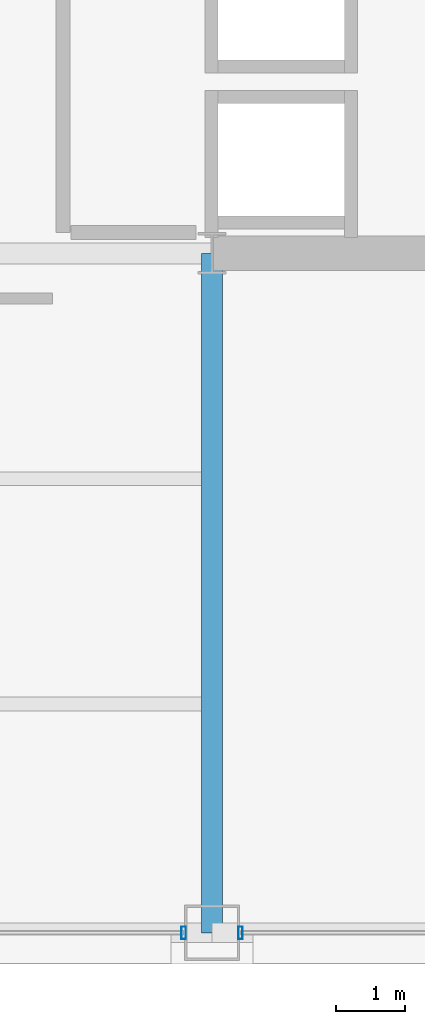
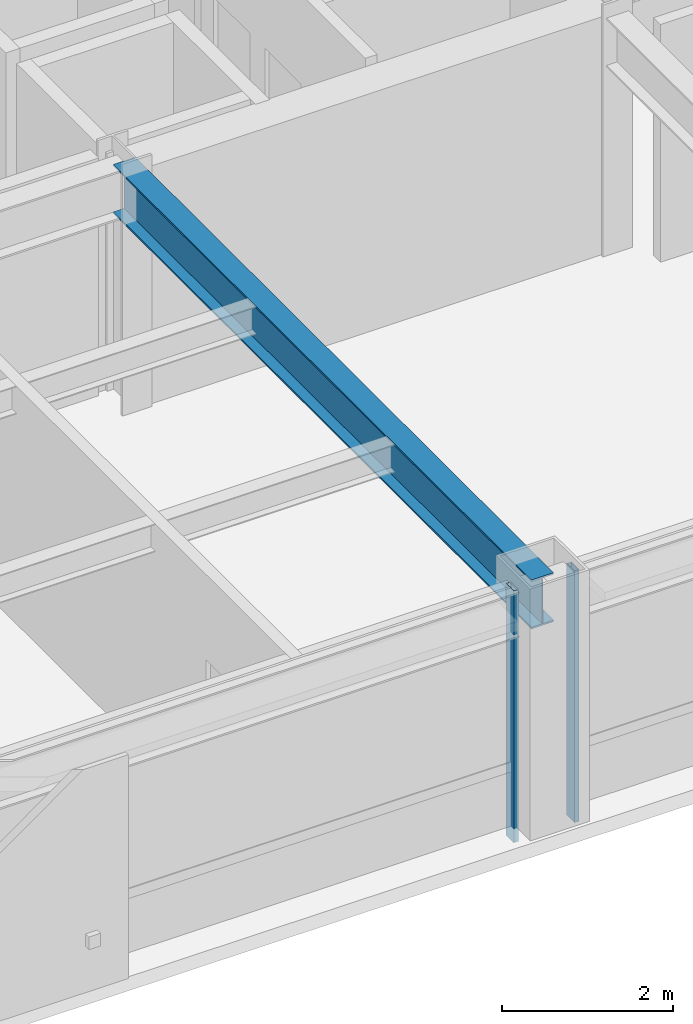
# One storey, part 6 of 28: 2 members, 1 beam, 2 elements without a shape of their own.
"""IFC4 building model written with IfcOpenShell, lengths in metres."""

from ifc_helpers import new_model, si_unit, direction, frame, origin, origin_2d, place, context, subcontext, project, spatial, hollow_rectangle, i_section, extrude, material, layer, layer_set, material_profile, profile_set, type_object, element, aggregate, save


model = new_model("IFC4")

# Units and contexts
model_context = context("Model", 3, precision=1e-05, world=origin(), true_north=direction((0.0, 1.0)))
body_context = subcontext(model_context, "Body", "Model", "MODEL_VIEW")
ifc_project = project(units=[si_unit("LENGTHUNIT", "METRE"), si_unit("AREAUNIT", "SQUARE_METRE"), si_unit("VOLUMEUNIT", "CUBIC_METRE"), si_unit("PLANEANGLEUNIT", "RADIAN"), si_unit("MASSUNIT", "GRAM", prefix="KILO")], contexts=[model_context])

# Site, building, storey
site_placement = place(None, origin())
site = spatial("IfcSite", under=ifc_project, at=site_placement, CompositionType="ELEMENT")
building_placement = place(site_placement, origin())
building = spatial("IfcBuilding", under=site, at=building_placement, Name="Brelmoor Portico Tower", CompositionType="ELEMENT")
storey_placement = place(building_placement, frame((0.0, 0.0, 142.199951171875)))
storey = spatial("IfcBuildingStorey", under=building, at=storey_placement, Name="L37", CompositionType="ELEMENT", Elevation=142.199951171875)

# Beam
ifc_material_1 = material(Name="Steel Q355B", Category="steel")
ifc_material_profile_1 = material_profile(ifc_material_1, i_section(OverallWidth=0.300048828125, OverallDepth=0.699951171875, WebThickness=0.012939453125, FlangeThickness=0.02392578125, at=origin_2d()), Name="HN 700x300x13x24")
ifc_profile_set_1 = profile_set([ifc_material_profile_1], Name="Steel Q355B")
beam_type = type_object("IfcBeamType", Name="BM-PG-700", PredefinedType="BEAM", material=ifc_profile_set_1)
beam_placement = place(storey_placement, frame((8.050048828125, -19.550048828125, 3.050048828125), z_axis=(0.0, 1.0, 0.0), x_axis=(-1.0, 0.0, 0.0)))
element("IfcBeam", 1, at=beam_placement, inside=storey, type_object=beam_type, Name="L37 Primary Floor Girder PG-08", PredefinedType="BEAM", context=body_context, shape_type="SweptSolid", body=[
    extrude(i_section(OverallWidth=0.300048828125, OverallDepth=0.699951171875, WebThickness=0.012939453125, FlangeThickness=0.02392578125, at=origin_2d()), origin(), (0.0, 0.0, 1.0), 9.800048828125),
])

# Curtain wall, member
ifc_material_2 = material(Name="Anodised Aluminium Alloy 6063-T6", Category="aluminium")
ifc_layer = layer(ifc_material_2, 0.179931640625)
ifc_layer_set = layer_set([ifc_layer], Name="Anodised Aluminium Alloy 6063-T6")
curtain_wall_type = type_object("IfcCurtainWallType", Name="CW-TOWER-Z2", PredefinedType="NOTDEFINED", material=ifc_layer_set)
curtain_wall_1_placement = place(storey_placement, origin())
curtain_wall_1 = element("IfcCurtainWall", 2, at=curtain_wall_1_placement, inside=storey, type_object=curtain_wall_type, Name="L37 Curtain Wall CW-L37-01-3", PredefinedType="NOTDEFINED")
ifc_material_profile_2 = material_profile(ifc_material_2, hollow_rectangle(XDim=0.06494140625, YDim=0.179931640625, WallThickness=0.00390625, at=origin_2d()), Name="ALU MULLION 65x180")
ifc_profile_set_2 = profile_set([ifc_material_profile_2], Name="Anodised Aluminium Alloy 6063-T6")
member_type = type_object("IfcMemberType", Name="MB-CW-MULL-180", PredefinedType="MULLION", material=ifc_profile_set_2)
member_1_placement = place(storey_placement, frame((7.639892578125, -19.550048828125, -0.199951171875), z_axis=(0.0, 0.0, 1.0), x_axis=(1.0, 0.0, 0.0)))
member_1 = element("IfcMember", 3, at=member_1_placement, type_object=member_type, Name="CW-L37-01-3 Mullion 01", PredefinedType="MULLION", context=body_context, shape_type="SweptSolid", body=[
    extrude(hollow_rectangle(XDim=0.06494140625, YDim=0.179931640625, WallThickness=0.00390625, at=origin_2d()), origin(), (0.0, 0.0, 1.0), 3.60009765625),
])
aggregate(curtain_wall_1, [member_1])

curtain_wall_2_placement = place(storey_placement, origin())
curtain_wall_2 = element("IfcCurtainWall", 4, at=curtain_wall_2_placement, inside=storey, type_object=curtain_wall_type, Name="L37 Curtain Wall CW-L37-01-4", PredefinedType="NOTDEFINED")
member_2_placement = place(storey_placement, frame((8.4599609375, -19.550048828125, -0.199951171875), z_axis=(0.0, 0.0, 1.0), x_axis=(1.0, 0.0, 0.0)))
member_2 = element("IfcMember", 5, at=member_2_placement, type_object=member_type, Name="CW-L37-01-4 Mullion 00", PredefinedType="MULLION", context=body_context, shape_type="SweptSolid", body=[
    extrude(hollow_rectangle(XDim=0.06494140625, YDim=0.179931640625, WallThickness=0.00390625, at=origin_2d()), origin(), (0.0, 0.0, 1.0), 3.60009765625),
])
aggregate(curtain_wall_2, [member_2])

save(model, "model.ifc")
